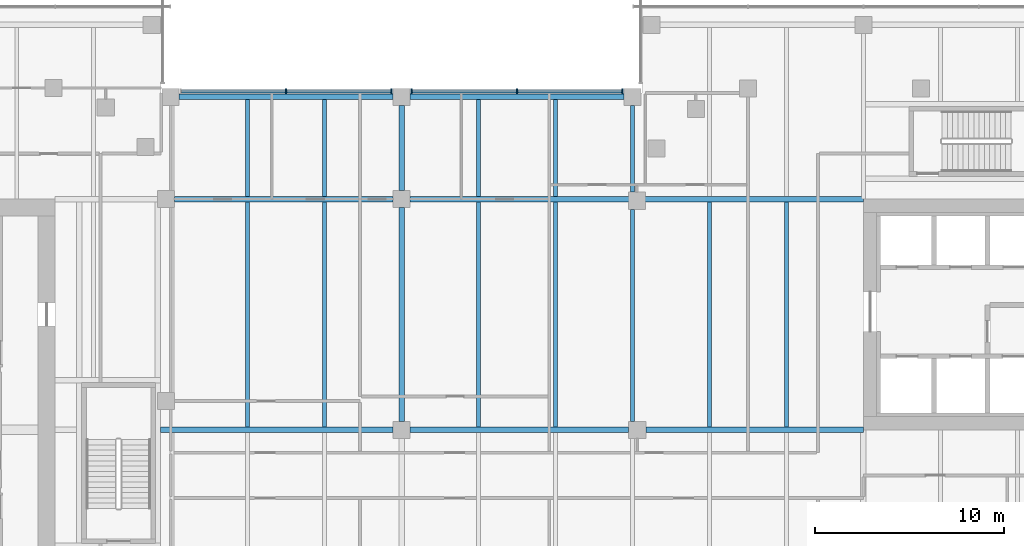
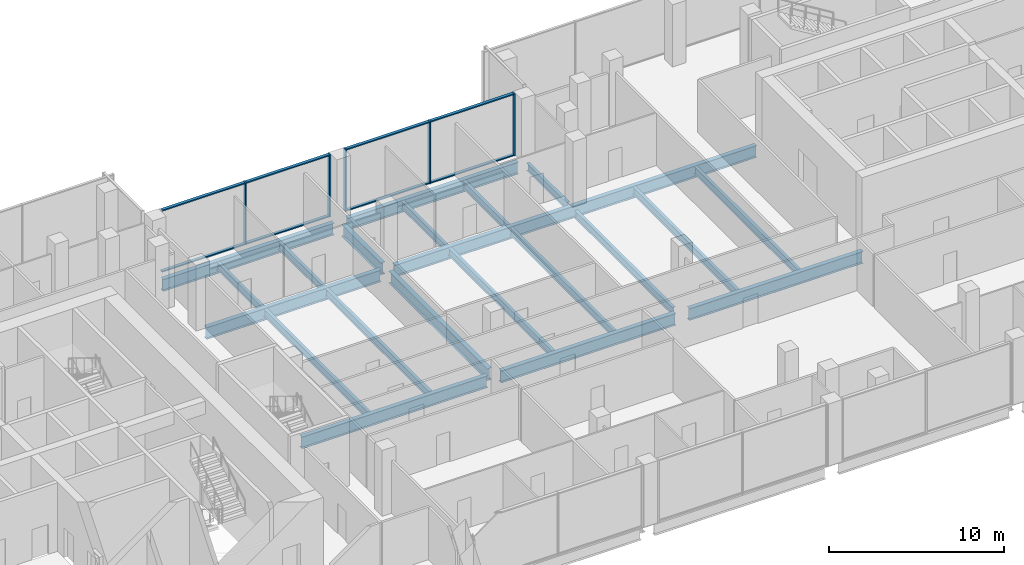
# One storey, part 10 of 33: 21 beams, 13 members, 2 elements without a shape of their own.
"""IFC4 building model written with IfcOpenShell, lengths in metres."""

from ifc_helpers import new_model, si_unit, direction, frame, origin, origin_2d, place, context, subcontext, project, spatial, rectangle, i_section, extrude, material, material_profile, profile_set, type_object, element, aggregate, save


model = new_model("IFC4")

# Units and contexts
model_context = context("Model", 3, precision=1e-05, world=origin(), true_north=direction((0.0, 1.0)))
body_context = subcontext(model_context, "Body", "Model", "MODEL_VIEW")
ifc_project = project(units=[si_unit("LENGTHUNIT", "METRE"), si_unit("AREAUNIT", "SQUARE_METRE"), si_unit("VOLUMEUNIT", "CUBIC_METRE"), si_unit("PLANEANGLEUNIT", "RADIAN"), si_unit("MASSUNIT", "GRAM", prefix="KILO")], contexts=[model_context])

# Site, building, storey
site_placement = place(None, origin())
site = spatial("IfcSite", under=ifc_project, at=site_placement, CompositionType="ELEMENT")
building_placement = place(site_placement, origin())
building = spatial("IfcBuilding", under=site, at=building_placement, Name="Tessera Gate Towers", CompositionType="ELEMENT")
storey_placement = place(building_placement, frame((0.0, 0.0, 12.0)))
storey = spatial("IfcBuildingStorey", under=building, at=storey_placement, Name="L02", CompositionType="ELEMENT", Elevation=12.0)

# Beams
ifc_material_1 = material(Name="Steel 350W", Category="steel")
ifc_material_profile_1 = material_profile(ifc_material_1, i_section(OverallWidth=0.2919921875, OverallDepth=0.8349609375, WebThickness=0.013916015625, FlangeThickness=0.018798828125, at=origin_2d()), Name="W840x176")
ifc_profile_set_1 = profile_set([ifc_material_profile_1], Name="Steel 350W")
beam_type_1 = type_object("IfcBeamType", Name="FLOOR GIRDER W840x176", PredefinedType="BEAM", material=ifc_profile_set_1)
for number, where, z_axis, x_axis, name in (
    (1, (61.449951171875, 54.199951171875, -0.66748046875), (1.0, 0.0, 0.0), (0.0, 1.0, 0.0), "PD-GD-L02-370"),
    (2, (73.64990234375, 54.199951171875, -0.66748046875), (1.0, 0.0, 0.0), (0.0, 1.0, 0.0), "PD-GD-L02-371"),
):
    element("IfcBeam", number, at=place(storey_placement, frame(where, z_axis=z_axis, x_axis=x_axis)), inside=storey, type_object=beam_type_1, Name=name, PredefinedType="BEAM", context=body_context, shape_type="SweptSolid", body=[
        extrude(i_section(OverallWidth=0.2919921875, OverallDepth=0.8349609375, WebThickness=0.013916015625, FlangeThickness=0.018798828125, at=origin_2d()), origin(), (0.0, 0.0, 1.0), 11.300048828125),
    ])
beam_1_placement = place(storey_placement, frame((60.466064453125, 36.60009765625, -0.66748046875), z_axis=(1.0, 0.0, 0.0), x_axis=(0.0, 1.0, 0.0)))
element("IfcBeam", 3, at=beam_1_placement, inside=storey, type_object=beam_type_1, Name="PD-GD-L02-393", PredefinedType="BEAM", context=body_context, shape_type="SweptSolid", body=[
    extrude(i_section(OverallWidth=0.2919921875, OverallDepth=0.8349609375, WebThickness=0.013916015625, FlangeThickness=0.018798828125, at=origin_2d()), origin(), (0.0, 0.0, 1.0), 12.283935546875),
])
beam_2_placement = place(storey_placement, frame((73.64990234375, 36.60009765625, -0.66748046875), z_axis=(1.0, 0.0, 0.0), x_axis=(0.0, 1.0, 0.0)))
element("IfcBeam", 4, at=beam_2_placement, inside=storey, type_object=beam_type_1, Name="PD-GD-L02-394", PredefinedType="BEAM", context=body_context, shape_type="SweptSolid", body=[
    extrude(i_section(OverallWidth=0.2919921875, OverallDepth=0.8349609375, WebThickness=0.013916015625, FlangeThickness=0.018798828125, at=origin_2d()), origin(), (0.0, 0.0, 1.0), 11.550048828125),
])
beam_3_placement = place(storey_placement, frame((86.10009765625, 36.60009765625, -0.66748046875), z_axis=(1.0, 0.0, 0.0), x_axis=(0.0, 1.0, 0.0)))
element("IfcBeam", 5, at=beam_3_placement, inside=storey, type_object=beam_type_1, Name="PD-GD-L02-395", PredefinedType="BEAM", context=body_context, shape_type="SweptSolid", body=[
    extrude(i_section(OverallWidth=0.2919921875, OverallDepth=0.8349609375, WebThickness=0.013916015625, FlangeThickness=0.018798828125, at=origin_2d()), origin(), (0.0, 0.0, 1.0), 11.4990234375),
])
beam_4_placement = place(storey_placement, frame((61.199951171875, 48.800048828125, -0.66748046875), z_axis=(1.0, 0.0, 0.0), x_axis=(0.0, 1.0, 0.0)))
element("IfcBeam", 6, at=beam_4_placement, inside=storey, type_object=beam_type_1, Name="PD-GD-L02-402", PredefinedType="BEAM", context=body_context, shape_type="SweptSolid", body=[
    extrude(i_section(OverallWidth=0.2919921875, OverallDepth=0.8349609375, WebThickness=0.013916015625, FlangeThickness=0.018798828125, at=origin_2d()), origin(), (0.0, 0.0, 1.0), 11.550048828125),
])
beam_5_placement = place(storey_placement, frame((73.64990234375, 48.800048828125, -0.66748046875), z_axis=(1.0, 0.0, 0.0), x_axis=(0.0, 1.0, 0.0)))
element("IfcBeam", 7, at=beam_5_placement, inside=storey, type_object=beam_type_1, Name="PD-GD-L02-403", PredefinedType="BEAM", context=body_context, shape_type="SweptSolid", body=[
    extrude(i_section(OverallWidth=0.2919921875, OverallDepth=0.8349609375, WebThickness=0.013916015625, FlangeThickness=0.018798828125, at=origin_2d()), origin(), (0.0, 0.0, 1.0), 23.94921875),
])
beam_6_placement = place(storey_placement, frame((73.199951171875, 37.050048828125, -0.66748046875), z_axis=(0.0, 1.0, 0.0), x_axis=(-1.0, 0.0, 0.0)))
element("IfcBeam", 8, at=beam_6_placement, inside=storey, type_object=beam_type_1, Name="PD-GD-L02-429", PredefinedType="BEAM", context=body_context, shape_type="SweptSolid", body=[
    extrude(i_section(OverallWidth=0.2919921875, OverallDepth=0.8349609375, WebThickness=0.013916015625, FlangeThickness=0.018798828125, at=origin_2d()), origin(), (0.0, 0.0, 1.0), 11.300048828125),
])
beam_7_placement = place(storey_placement, frame((73.199951171875, 49.25, -0.66748046875), z_axis=(0.0, 1.0, 0.0), x_axis=(-1.0, 0.0, 0.0)))
element("IfcBeam", 9, at=beam_7_placement, inside=storey, type_object=beam_type_1, Name="PD-GD-L02-430", PredefinedType="BEAM", context=body_context, shape_type="SweptSolid", body=[
    extrude(i_section(OverallWidth=0.2919921875, OverallDepth=0.8349609375, WebThickness=0.013916015625, FlangeThickness=0.018798828125, at=origin_2d()), origin(), (0.0, 0.0, 1.0), 4.5),
])
ifc_material_2 = material(Name="Steel 350W", Category="steel")
ifc_material_profile_2 = material_profile(ifc_material_2, i_section(OverallWidth=0.208984375, OverallDepth=0.528076171875, WebThickness=0.009521484375, FlangeThickness=0.01318359375, at=origin_2d()), Name="W530x82")
ifc_profile_set_2 = profile_set([ifc_material_profile_2], Name="Steel 350W")
beam_type_2 = type_object("IfcBeamType", Name="FLOOR SECONDARY W530x82", PredefinedType="BEAM", material=ifc_profile_set_2)
beam_8_placement = place(storey_placement, frame((65.066650390625, 36.74609375, -0.513916015625), z_axis=(0.0, 1.0, 0.0), x_axis=(-1.0, 0.0, 0.0)))
element("IfcBeam", 10, at=beam_8_placement, inside=storey, type_object=beam_type_2, Name="PD-BM-L02-501", PredefinedType="BEAM", context=body_context, shape_type="SweptSolid", body=[
    extrude(i_section(OverallWidth=0.208984375, OverallDepth=0.528076171875, WebThickness=0.009521484375, FlangeThickness=0.01318359375, at=origin_2d()), origin(), (0.0, 0.0, 1.0), 11.907958984375),
])
beam_9_placement = place(storey_placement, frame((65.066650390625, 48.946044921875, -0.513916015625), z_axis=(0.0, 1.0, 0.0), x_axis=(-1.0, 0.0, 0.0)))
element("IfcBeam", 11, at=beam_9_placement, inside=storey, type_object=beam_type_2, Name="PD-BM-L02-502", PredefinedType="BEAM", context=body_context, shape_type="SweptSolid", body=[
    extrude(i_section(OverallWidth=0.208984375, OverallDepth=0.528076171875, WebThickness=0.009521484375, FlangeThickness=0.01318359375, at=origin_2d()), origin(), (0.0, 0.0, 1.0), 5.10791015625),
])
beam_10_placement = place(storey_placement, frame((69.13330078125, 36.74609375, -0.513916015625), z_axis=(0.0, 1.0, 0.0), x_axis=(-1.0, 0.0, 0.0)))
element("IfcBeam", 12, at=beam_10_placement, inside=storey, type_object=beam_type_2, Name="PD-BM-L02-505", PredefinedType="BEAM", context=body_context, shape_type="SweptSolid", body=[
    extrude(i_section(OverallWidth=0.208984375, OverallDepth=0.528076171875, WebThickness=0.009521484375, FlangeThickness=0.01318359375, at=origin_2d()), origin(), (0.0, 0.0, 1.0), 11.907958984375),
])
beam_11_placement = place(storey_placement, frame((69.13330078125, 48.946044921875, -0.513916015625), z_axis=(0.0, 1.0, 0.0), x_axis=(-1.0, 0.0, 0.0)))
element("IfcBeam", 13, at=beam_11_placement, inside=storey, type_object=beam_type_2, Name="PD-BM-L02-506", PredefinedType="BEAM", context=body_context, shape_type="SweptSolid", body=[
    extrude(i_section(OverallWidth=0.208984375, OverallDepth=0.528076171875, WebThickness=0.009521484375, FlangeThickness=0.01318359375, at=origin_2d()), origin(), (0.0, 0.0, 1.0), 5.10791015625),
])
beam_12_placement = place(storey_placement, frame((77.2666015625, 36.74609375, -0.513916015625), z_axis=(0.0, 1.0, 0.0), x_axis=(-1.0, 0.0, 0.0)))
element("IfcBeam", 14, at=beam_12_placement, inside=storey, type_object=beam_type_2, Name="PD-BM-L02-509", PredefinedType="BEAM", context=body_context, shape_type="SweptSolid", body=[
    extrude(i_section(OverallWidth=0.208984375, OverallDepth=0.528076171875, WebThickness=0.009521484375, FlangeThickness=0.01318359375, at=origin_2d()), origin(), (0.0, 0.0, 1.0), 11.907958984375),
])
beam_13_placement = place(storey_placement, frame((77.2666015625, 48.946044921875, -0.513916015625), z_axis=(0.0, 1.0, 0.0), x_axis=(-1.0, 0.0, 0.0)))
element("IfcBeam", 15, at=beam_13_placement, inside=storey, type_object=beam_type_2, Name="PD-BM-L02-510", PredefinedType="BEAM", context=body_context, shape_type="SweptSolid", body=[
    extrude(i_section(OverallWidth=0.208984375, OverallDepth=0.528076171875, WebThickness=0.009521484375, FlangeThickness=0.01318359375, at=origin_2d()), origin(), (0.0, 0.0, 1.0), 5.10791015625),
])
beam_14_placement = place(storey_placement, frame((81.333251953125, 36.74609375, -0.513916015625), z_axis=(0.0, 1.0, 0.0), x_axis=(-1.0, 0.0, 0.0)))
element("IfcBeam", 16, at=beam_14_placement, inside=storey, type_object=beam_type_2, Name="PD-BM-L02-513", PredefinedType="BEAM", context=body_context, shape_type="SweptSolid", body=[
    extrude(i_section(OverallWidth=0.208984375, OverallDepth=0.528076171875, WebThickness=0.009521484375, FlangeThickness=0.01318359375, at=origin_2d()), origin(), (0.0, 0.0, 1.0), 11.907958984375),
])
beam_15_placement = place(storey_placement, frame((81.333251953125, 48.946044921875, -0.513916015625), z_axis=(0.0, 1.0, 0.0), x_axis=(-1.0, 0.0, 0.0)))
element("IfcBeam", 17, at=beam_15_placement, inside=storey, type_object=beam_type_2, Name="PD-BM-L02-514", PredefinedType="BEAM", context=body_context, shape_type="SweptSolid", body=[
    extrude(i_section(OverallWidth=0.208984375, OverallDepth=0.528076171875, WebThickness=0.009521484375, FlangeThickness=0.01318359375, at=origin_2d()), origin(), (0.0, 0.0, 1.0), 5.10791015625),
])
beam_16_placement = place(storey_placement, frame((85.39990234375, 37.050048828125, -0.513916015625), z_axis=(0.0, 1.0, 0.0), x_axis=(-1.0, 0.0, 0.0)))
element("IfcBeam", 18, at=beam_16_placement, inside=storey, type_object=beam_type_2, Name="PD-BM-L02-517", PredefinedType="BEAM", context=body_context, shape_type="SweptSolid", body=[
    extrude(i_section(OverallWidth=0.208984375, OverallDepth=0.528076171875, WebThickness=0.009521484375, FlangeThickness=0.01318359375, at=origin_2d()), origin(), (0.0, 0.0, 1.0), 11.2099609375),
])
beam_17_placement = place(storey_placement, frame((85.39990234375, 49.159912109375, -0.513916015625), z_axis=(0.0, 1.0, 0.0), x_axis=(-1.0, 0.0, 0.0)))
element("IfcBeam", 19, at=beam_17_placement, inside=storey, type_object=beam_type_2, Name="PD-BM-L02-518", PredefinedType="BEAM", context=body_context, shape_type="SweptSolid", body=[
    extrude(i_section(OverallWidth=0.208984375, OverallDepth=0.528076171875, WebThickness=0.009521484375, FlangeThickness=0.01318359375, at=origin_2d()), origin(), (0.0, 0.0, 1.0), 4.590087890625),
])
for number, where, z_axis, x_axis, name in (
    (20, (89.466796875, 36.74609375, -0.513916015625), (0.0, 1.0, 0.0), (-1.0, 0.0, 0.0), "PD-BM-L02-521"),
    (21, (93.533203125, 36.74609375, -0.513916015625), (0.0, 1.0, 0.0), (-1.0, 0.0, 0.0), "PD-BM-L02-525"),
):
    element("IfcBeam", number, at=place(storey_placement, frame(where, z_axis=z_axis, x_axis=x_axis)), inside=storey, type_object=beam_type_2, Name=name, PredefinedType="BEAM", context=body_context, shape_type="SweptSolid", body=[
        extrude(i_section(OverallWidth=0.208984375, OverallDepth=0.528076171875, WebThickness=0.009521484375, FlangeThickness=0.01318359375, at=origin_2d()), origin(), (0.0, 0.0, 1.0), 11.907958984375),
    ])

# Curtain wall, members
ifc_material_3 = material(Name="Aluminium frame", Category="aluminium")
curtain_wall_type = type_object("IfcCurtainWallType", Name="CW-S2 galleria glazing", PredefinedType="NOTDEFINED", material=ifc_material_3)
curtain_wall_1_placement = place(storey_placement, origin())
curtain_wall_1 = element("IfcCurtainWall", 22, at=curtain_wall_1_placement, inside=storey, type_object=curtain_wall_type, Name="Curtain wall galleria glazing 0199", PredefinedType="NOTDEFINED")
ifc_material_4 = material(Name="Aluminium frame", Category="aluminium")
ifc_material_profile_3 = material_profile(ifc_material_4, rectangle(XDim=0.080078125, YDim=0.25, at=origin_2d()), Name="AL 80x250")
ifc_profile_set_3 = profile_set([ifc_material_profile_3], Name="Aluminium frame")
member_type_1 = type_object("IfcMemberType", Name="MU-S2 mullion 80x250", PredefinedType="MULLION", material=ifc_profile_set_3)
member_1_placement = place(storey_placement, frame((84.8701171875, 54.5, 0.0), z_axis=(0.0, 0.0, 1.0), x_axis=(-1.0, 0.0, 0.0)))
member_1 = element("IfcMember", 23, at=member_1_placement, type_object=member_type_1, Name="PD-CW2-0199 mullion 1", PredefinedType="MULLION", context=body_context, shape_type="SweptSolid", body=[
    extrude(rectangle(XDim=0.080078125, YDim=0.25, at=origin_2d()), origin(), (0.0, 0.0, 1.0), 4.35009765625),
])
member_2_placement = place(storey_placement, frame((79.300048828125, 54.5, 0.0), z_axis=(0.0, 0.0, 1.0), x_axis=(-1.0, 0.0, 0.0)))
member_2 = element("IfcMember", 24, at=member_2_placement, type_object=member_type_1, Name="PD-CW2-0199 mullion 2", PredefinedType="MULLION", context=body_context, shape_type="SweptSolid", body=[
    extrude(rectangle(XDim=0.080078125, YDim=0.25, at=origin_2d()), origin(), (0.0, 0.0, 1.0), 4.35009765625),
])
member_3_placement = place(storey_placement, frame((73.72998046875, 54.5, 0.0), z_axis=(0.0, 0.0, 1.0), x_axis=(-1.0, 0.0, 0.0)))
member_3 = element("IfcMember", 25, at=member_3_placement, type_object=member_type_1, Name="PD-CW2-0199 mullion 3", PredefinedType="MULLION", context=body_context, shape_type="SweptSolid", body=[
    extrude(rectangle(XDim=0.080078125, YDim=0.25, at=origin_2d()), origin(), (0.0, 0.0, 1.0), 4.35009765625),
])

curtain_wall_2_placement = place(storey_placement, origin())
curtain_wall_2 = element("IfcCurtainWall", 26, at=curtain_wall_2_placement, inside=storey, type_object=curtain_wall_type, Name="Curtain wall galleria glazing 0200", PredefinedType="NOTDEFINED")
member_4_placement = place(storey_placement, frame((72.669921875, 54.5, 0.0), z_axis=(0.0, 0.0, 1.0), x_axis=(-1.0, 0.0, 0.0)))
member_4 = element("IfcMember", 27, at=member_4_placement, type_object=member_type_1, Name="PD-CW2-0200 mullion 1", PredefinedType="MULLION", context=body_context, shape_type="SweptSolid", body=[
    extrude(rectangle(XDim=0.080078125, YDim=0.25, at=origin_2d()), origin(), (0.0, 0.0, 1.0), 4.35009765625),
])
member_5_placement = place(storey_placement, frame((67.10009765625, 54.5, 0.0), z_axis=(0.0, 0.0, 1.0), x_axis=(-1.0, 0.0, 0.0)))
member_5 = element("IfcMember", 28, at=member_5_placement, type_object=member_type_1, Name="PD-CW2-0200 mullion 2", PredefinedType="MULLION", context=body_context, shape_type="SweptSolid", body=[
    extrude(rectangle(XDim=0.080078125, YDim=0.25, at=origin_2d()), origin(), (0.0, 0.0, 1.0), 4.35009765625),
])

# Member
ifc_material_5 = material(Name="Aluminium frame", Category="aluminium")
ifc_material_profile_4 = material_profile(ifc_material_5, rectangle(XDim=0.199951171875, YDim=0.080078125, at=origin_2d()), Name="AL 80x200")
ifc_profile_set_4 = profile_set([ifc_material_profile_4], Name="Aluminium frame")
member_type_2 = type_object("IfcMemberType", Name="TR-S2 transom 80x200", PredefinedType="USERDEFINED", material=ifc_profile_set_4)
member_6_placement = place(storey_placement, frame((84.830078125, 54.5, 0.0400390625), z_axis=(-1.0, 0.0, 0.0), x_axis=(0.0, -1.0, 0.0)))
member_6 = element("IfcMember", 29, at=member_6_placement, type_object=member_type_2, Name="PD-CW2-0199 transom 1.1", ObjectType="TRANSOM", PredefinedType="USERDEFINED", context=body_context, shape_type="SweptSolid", body=[
    extrude(rectangle(XDim=0.199951171875, YDim=0.080078125, at=origin_2d()), origin(), (0.0, 0.0, 1.0), 5.489990234375),
])

member_7_placement = place(storey_placement, frame((84.830078125, 54.5, 4.31005859375), z_axis=(-1.0, 0.0, 0.0), x_axis=(0.0, -1.0, 0.0)))
member_7 = element("IfcMember", 30, at=member_7_placement, type_object=member_type_2, Name="PD-CW2-0199 transom 1.2", ObjectType="TRANSOM", PredefinedType="USERDEFINED", context=body_context, shape_type="SweptSolid", body=[
    extrude(rectangle(XDim=0.199951171875, YDim=0.080078125, at=origin_2d()), origin(), (0.0, 0.0, 1.0), 5.489990234375),
])

member_8_placement = place(storey_placement, frame((79.260009765625, 54.5, 0.0400390625), z_axis=(-1.0, 0.0, 0.0), x_axis=(0.0, -1.0, 0.0)))
member_8 = element("IfcMember", 31, at=member_8_placement, type_object=member_type_2, Name="PD-CW2-0199 transom 2.1", ObjectType="TRANSOM", PredefinedType="USERDEFINED", context=body_context, shape_type="SweptSolid", body=[
    extrude(rectangle(XDim=0.199951171875, YDim=0.080078125, at=origin_2d()), origin(), (0.0, 0.0, 1.0), 5.489990234375),
])

member_9_placement = place(storey_placement, frame((79.260009765625, 54.5, 4.31005859375), z_axis=(-1.0, 0.0, 0.0), x_axis=(0.0, -1.0, 0.0)))
member_9 = element("IfcMember", 32, at=member_9_placement, type_object=member_type_2, Name="PD-CW2-0199 transom 2.2", ObjectType="TRANSOM", PredefinedType="USERDEFINED", context=body_context, shape_type="SweptSolid", body=[
    extrude(rectangle(XDim=0.199951171875, YDim=0.080078125, at=origin_2d()), origin(), (0.0, 0.0, 1.0), 5.489990234375),
])

aggregate(curtain_wall_1, [member_1, member_2, member_3, member_6, member_7, member_8, member_9])

member_10_placement = place(storey_placement, frame((72.6298828125, 54.5, 0.0400390625), z_axis=(-1.0, 0.0, 0.0), x_axis=(0.0, -1.0, 0.0)))
member_10 = element("IfcMember", 33, at=member_10_placement, type_object=member_type_2, Name="PD-CW2-0200 transom 1.1", ObjectType="TRANSOM", PredefinedType="USERDEFINED", context=body_context, shape_type="SweptSolid", body=[
    extrude(rectangle(XDim=0.199951171875, YDim=0.080078125, at=origin_2d()), origin(), (0.0, 0.0, 1.0), 5.489990234375),
])

member_11_placement = place(storey_placement, frame((72.6298828125, 54.5, 4.31005859375), z_axis=(-1.0, 0.0, 0.0), x_axis=(0.0, -1.0, 0.0)))
member_11 = element("IfcMember", 34, at=member_11_placement, type_object=member_type_2, Name="PD-CW2-0200 transom 1.2", ObjectType="TRANSOM", PredefinedType="USERDEFINED", context=body_context, shape_type="SweptSolid", body=[
    extrude(rectangle(XDim=0.199951171875, YDim=0.080078125, at=origin_2d()), origin(), (0.0, 0.0, 1.0), 5.489990234375),
])

member_12_placement = place(storey_placement, frame((67.06005859375, 54.5, 0.0400390625), z_axis=(-1.0, 0.0, 0.0), x_axis=(0.0, -1.0, 0.0)))
member_12 = element("IfcMember", 35, at=member_12_placement, type_object=member_type_2, Name="PD-CW2-0200 transom 2.1", ObjectType="TRANSOM", PredefinedType="USERDEFINED", context=body_context, shape_type="SweptSolid", body=[
    extrude(rectangle(XDim=0.199951171875, YDim=0.080078125, at=origin_2d()), origin(), (0.0, 0.0, 1.0), 5.489990234375),
])

member_13_placement = place(storey_placement, frame((67.06005859375, 54.5, 4.31005859375), z_axis=(-1.0, 0.0, 0.0), x_axis=(0.0, -1.0, 0.0)))
member_13 = element("IfcMember", 36, at=member_13_placement, type_object=member_type_2, Name="PD-CW2-0200 transom 2.2", ObjectType="TRANSOM", PredefinedType="USERDEFINED", context=body_context, shape_type="SweptSolid", body=[
    extrude(rectangle(XDim=0.199951171875, YDim=0.080078125, at=origin_2d()), origin(), (0.0, 0.0, 1.0), 5.489990234375),
])

aggregate(curtain_wall_2, [member_4, member_5, member_10, member_11, member_12, member_13])

save(model, "model.ifc")
